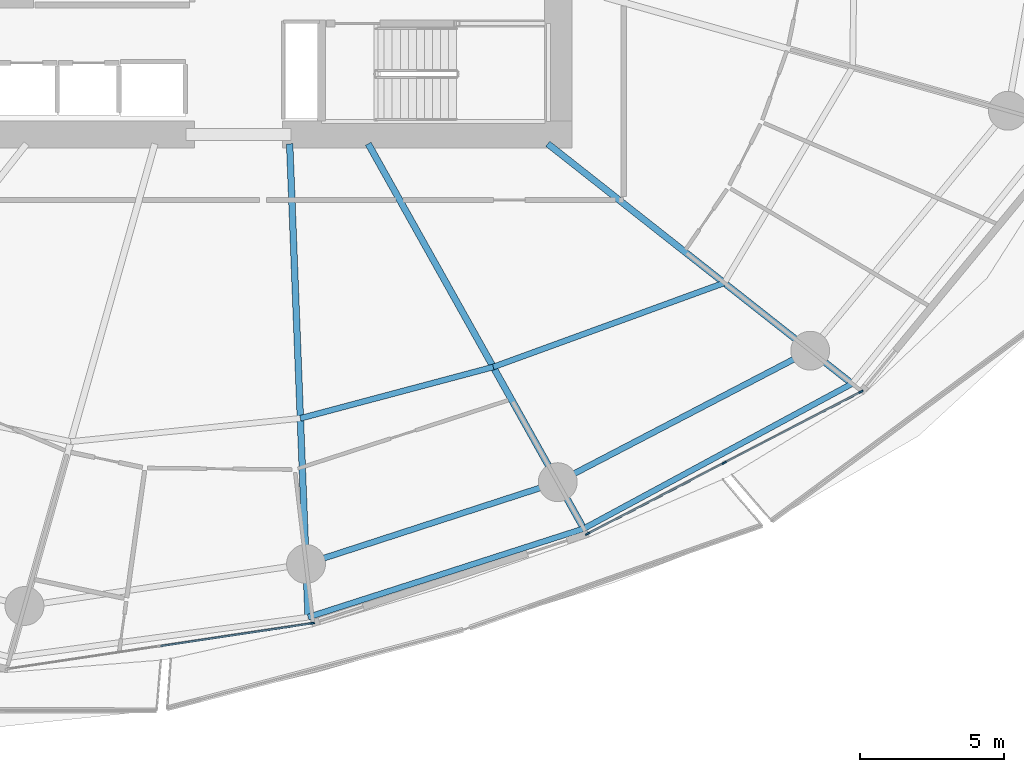
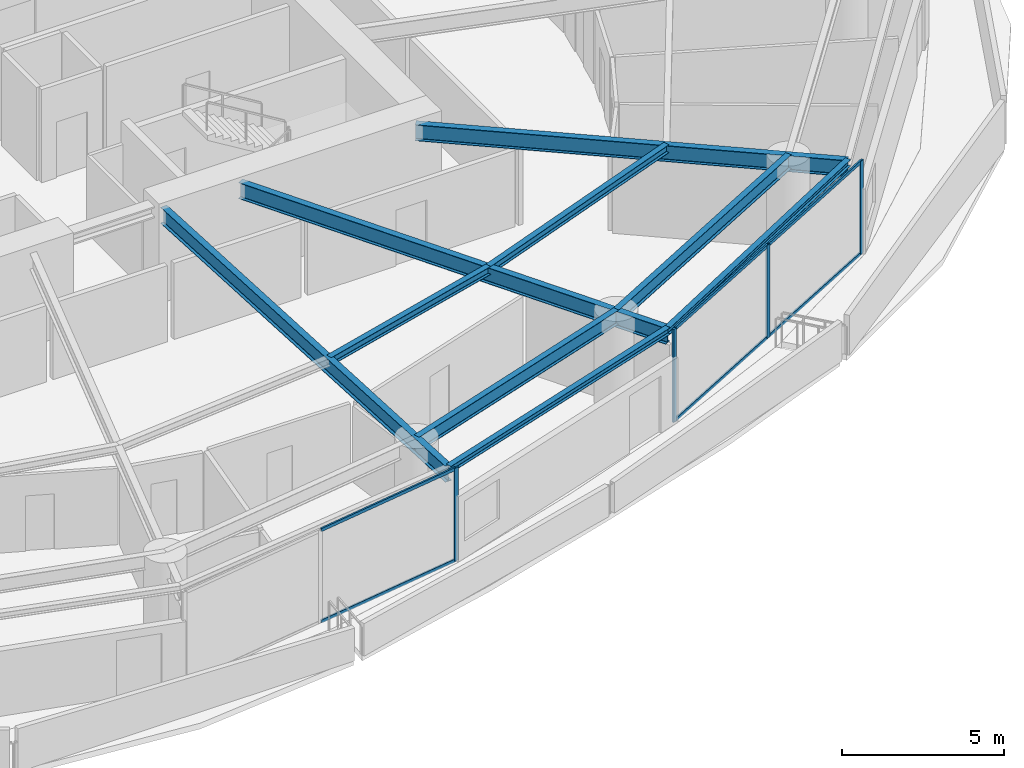
# One storey, part 9 of 31: 10 members, 9 beams, 2 elements without a shape of their own.
"""IFC4 building model written with IfcOpenShell, lengths in metres."""

from ifc_helpers import new_model, si_unit, direction, frame, origin, origin_2d, place, context, subcontext, project, spatial, rectangle, i_section, extrude, material, layer, layer_set, material_profile, profile_set, type_object, element, aggregate, save


model = new_model("IFC4")

# Units and contexts
model_context = context("Model", 3, precision=1e-05, world=origin(), true_north=direction((0.0, 1.0)))
body_context = subcontext(model_context, "Body", "Model", "MODEL_VIEW")
ifc_project = project(units=[si_unit("LENGTHUNIT", "METRE"), si_unit("AREAUNIT", "SQUARE_METRE"), si_unit("VOLUMEUNIT", "CUBIC_METRE"), si_unit("PLANEANGLEUNIT", "RADIAN"), si_unit("MASSUNIT", "GRAM", prefix="KILO")], contexts=[model_context])

# Site, building, storey
site_placement = place(None, origin())
site = spatial("IfcSite", under=ifc_project, at=site_placement, CompositionType="ELEMENT")
building_placement = place(site_placement, origin())
building = spatial("IfcBuilding", under=site, at=building_placement, Name="Kazma Halo Residences", CompositionType="ELEMENT")
storey_placement = place(building_placement, frame((0.0, 0.0, 30.14990234375)))
storey = spatial("IfcBuildingStorey", under=building, at=storey_placement, Name="L06", CompositionType="ELEMENT", Elevation=30.14990234375)

# Beams
ifc_material_1 = material(Name="Steel S355", Category="steel")
ifc_material_profile_1 = material_profile(ifc_material_1, i_section(OverallWidth=0.201904296875, OverallDepth=0.2470703125, WebThickness=0.00732421875, FlangeThickness=0.010986328125, FilletRadius=0.011962890625, at=origin_2d()), Name="W250x49.1")
ifc_profile_set_1 = profile_set([ifc_material_profile_1], Name="Steel S355")
beam_type_1 = type_object("IfcBeamType", Name="BM-BAL-CANT", PredefinedType="BEAM", material=ifc_profile_set_1)
beam_1_placement = place(storey_placement, frame((50.84033203125, 16.761962890625, 3.376708984375), z_axis=(0.952101049535, 0.305783569662, 0.0), x_axis=(-0.305783569662, 0.952101049535, 0.0)))
element("IfcBeam", 1, at=beam_1_placement, inside=storey, type_object=beam_type_1, Name="L06 wave-balcony tie beam 12", PredefinedType="BEAM", context=body_context, shape_type="SweptSolid", body=[
    extrude(i_section(OverallWidth=0.201904296875, OverallDepth=0.2470703125, WebThickness=0.00732421875, FlangeThickness=0.010986328125, FilletRadius=0.011962890625, at=origin_2d()), origin(), (0.0, 0.0, 1.0), 10.053466796875),
])
beam_2_placement = place(storey_placement, frame((60.412353515625, 19.836181640625, 3.376708984375), z_axis=(0.879759421466, 0.47541914175, 0.0), x_axis=(-0.47541914175, 0.879759421466, 0.0)))
element("IfcBeam", 2, at=beam_2_placement, inside=storey, type_object=beam_type_1, Name="L06 wave-balcony tie beam 13", PredefinedType="BEAM", context=body_context, shape_type="SweptSolid", body=[
    extrude(i_section(OverallWidth=0.201904296875, OverallDepth=0.2470703125, WebThickness=0.00732421875, FlangeThickness=0.010986328125, FilletRadius=0.011962890625, at=origin_2d()), origin(), (0.0, 0.0, 1.0), 10.58935546875),
])
ifc_material_profile_2 = material_profile(ifc_material_1, i_section(OverallWidth=0.22802734375, OverallDepth=0.60791015625, WebThickness=0.01123046875, FlangeThickness=0.017333984375, FilletRadius=0.01806640625, at=origin_2d()), Name="W610x113")
ifc_profile_set_2 = profile_set([ifc_material_profile_2], Name="Steel S355")
beam_type_2 = type_object("IfcBeamType", Name="BM-RAD-W610", PredefinedType="BEAM", material=ifc_profile_set_2)
beam_3_placement = place(storey_placement, frame((50.199951171875, 33.199951171875, 3.196044921875), z_axis=(0.038927845379, -0.999242024163, 0.0), x_axis=(0.999242024163, 0.038927845379, 0.0)))
element("IfcBeam", 3, at=beam_3_placement, inside=storey, type_object=beam_type_2, Name="L06 radial floor beam 12", PredefinedType="BEAM", context=body_context, shape_type="SweptSolid", body=[
    extrude(i_section(OverallWidth=0.22802734375, OverallDepth=0.60791015625, WebThickness=0.01123046875, FlangeThickness=0.017333984375, FilletRadius=0.01806640625, at=origin_2d()), origin(), (0.0, 0.0, 1.0), 16.450439453125),
])
beam_4_placement = place(storey_placement, frame((52.92822265625, 33.199951171875, 3.196044921875), z_axis=(0.488624239587, -0.872494328055, 0.0), x_axis=(0.872494328055, 0.488624239587, 0.0)))
element("IfcBeam", 4, at=beam_4_placement, inside=storey, type_object=beam_type_2, Name="L06 radial floor beam 13", PredefinedType="BEAM", context=body_context, shape_type="SweptSolid", body=[
    extrude(i_section(OverallWidth=0.22802734375, OverallDepth=0.60791015625, WebThickness=0.01123046875, FlangeThickness=0.017333984375, FilletRadius=0.01806640625, at=origin_2d()), origin(), (0.0, 0.0, 1.0), 15.316650390625),
])
beam_5_placement = place(storey_placement, frame((59.16259765625, 33.199951171875, 3.196044921875), z_axis=(0.785322437877, -0.619086963655, 0.0), x_axis=(0.619086963655, 0.785322437877, 0.0)))
element("IfcBeam", 5, at=beam_5_placement, inside=storey, type_object=beam_type_2, Name="L06 radial floor beam 14", PredefinedType="BEAM", context=body_context, shape_type="SweptSolid", body=[
    extrude(i_section(OverallWidth=0.22802734375, OverallDepth=0.60791015625, WebThickness=0.01123046875, FlangeThickness=0.017333984375, FilletRadius=0.01806640625, at=origin_2d()), origin(), (0.0, 0.0, 1.0), 13.454345703125),
])
ifc_material_profile_3 = material_profile(ifc_material_1, i_section(OverallWidth=0.202880859375, OverallDepth=0.302978515625, WebThickness=0.007568359375, FlangeThickness=0.01318359375, FilletRadius=0.013916015625, at=origin_2d()), Name="W310x60")
ifc_profile_set_3 = profile_set([ifc_material_profile_3], Name="Steel S355")
beam_type_3 = type_object("IfcBeamType", Name="BM-SEC-W310A", PredefinedType="JOIST", material=ifc_profile_set_3)
beam_6_placement = place(storey_placement, frame((50.5712890625, 23.666015625, 3.3486328125), z_axis=(0.966337757832, 0.257276772735, 0.0), x_axis=(-0.257276772735, 0.966337757832, 0.0)))
element("IfcBeam", 6, at=beam_6_placement, inside=storey, type_object=beam_type_3, Name="L06 circumferential floor joist 12", PredefinedType="JOIST", context=body_context, shape_type="SweptSolid", body=[
    extrude(i_section(OverallWidth=0.202880859375, OverallDepth=0.302978515625, WebThickness=0.007568359375, FlangeThickness=0.01318359375, FilletRadius=0.013916015625, at=origin_2d()), origin(), (0.0, 0.0, 1.0), 6.93115234375),
])
beam_7_placement = place(storey_placement, frame((57.26904296875, 25.44921875, 3.3486328125), z_axis=(0.939695690299, 0.34201170979, 0.0), x_axis=(-0.34201170979, 0.939695690299, 0.0)))
element("IfcBeam", 7, at=beam_7_placement, inside=storey, type_object=beam_type_3, Name="L06 circumferential floor joist 13", PredefinedType="JOIST", context=body_context, shape_type="SweptSolid", body=[
    extrude(i_section(OverallWidth=0.202880859375, OverallDepth=0.302978515625, WebThickness=0.007568359375, FlangeThickness=0.01318359375, FilletRadius=0.013916015625, at=origin_2d()), origin(), (0.0, 0.0, 1.0), 8.536865234375),
])
ifc_material_profile_4 = material_profile(ifc_material_1, i_section(OverallWidth=0.208984375, OverallDepth=0.532958984375, WebThickness=0.01025390625, FlangeThickness=0.015625, FilletRadius=0.01611328125, at=origin_2d()), Name="W530x92")
ifc_profile_set_4 = profile_set([ifc_material_profile_4], Name="Steel S355")
beam_type_4 = type_object("IfcBeamType", Name="BM-SPN-W530", PredefinedType="BEAM", material=ifc_profile_set_4)
beam_8_placement = place(storey_placement, frame((50.768310546875, 18.610595703125, 3.233642578125), z_axis=(0.951054956346, 0.309021795363, 0.0), x_axis=(-0.309021795363, 0.951054956346, 0.0)))
element("IfcBeam", 8, at=beam_8_placement, inside=storey, type_object=beam_type_4, Name="L06 perimeter ring beam 12", PredefinedType="BEAM", context=body_context, shape_type="SweptSolid", body=[
    extrude(i_section(OverallWidth=0.208984375, OverallDepth=0.532958984375, WebThickness=0.01025390625, FlangeThickness=0.015625, FilletRadius=0.01611328125, at=origin_2d()), origin(), (0.0, 0.0, 1.0), 9.189697265625),
])
beam_9_placement = place(storey_placement, frame((59.50830078125, 21.450439453125, 3.233642578125), z_axis=(0.886956241699, 0.461853467358, 0.0), x_axis=(-0.461853467358, 0.886956241699, 0.0)))
element("IfcBeam", 9, at=beam_9_placement, inside=storey, type_object=beam_type_4, Name="L06 perimeter ring beam 13", PredefinedType="BEAM", context=body_context, shape_type="SweptSolid", body=[
    extrude(i_section(OverallWidth=0.208984375, OverallDepth=0.532958984375, WebThickness=0.01025390625, FlangeThickness=0.015625, FilletRadius=0.01611328125, at=origin_2d()), origin(), (0.0, 0.0, 1.0), 9.885009765625),
])

# Curtain wall, member
ifc_material_2 = material(Name="Aluminium AW-6063 T6 and Triple-Silver Low-E Glass", Category="aluminium")
ifc_layer = layer(ifc_material_2, 0.159912109375)
ifc_layer_set = layer_set([ifc_layer], Name="Aluminium AW-6063 T6 and Triple-Silver Low-E Glass")
curtain_wall_type = type_object("IfcCurtainWallType", Name="CW-SYS-2", PredefinedType="NOTDEFINED", material=ifc_layer_set)
curtain_wall_1_placement = place(storey_placement, origin())
curtain_wall_1 = element("IfcCurtainWall", 10, at=curtain_wall_1_placement, inside=storey, type_object=curtain_wall_type, Name="L06 unitised curtain wall B11", PredefinedType="NOTDEFINED")
ifc_material_3 = material(Name="Aluminium AW-6063 T6", Category="aluminium")
ifc_material_profile_5 = material_profile(ifc_material_3, rectangle(XDim=0.06005859375, YDim=0.159912109375, at=origin_2d()), Name="CWM-60x160")
ifc_profile_set_5 = profile_set([ifc_material_profile_5], Name="Aluminium AW-6063 T6")
member_type_1 = type_object("IfcMemberType", Name="CW-SYS-2-MUL", PredefinedType="MULLION", material=ifc_profile_set_5)
member_1_placement = place(storey_placement, frame((50.981689453125, 16.552490234375, 0.0), z_axis=(0.0, 0.0, 1.0), x_axis=(-0.148657272805, 0.988888777994, 0.0)))
member_1 = element("IfcMember", 11, at=member_1_placement, type_object=member_type_1, Name="CWS-2 mullion 3", PredefinedType="MULLION", context=body_context, shape_type="SweptSolid", body=[
    extrude(rectangle(XDim=0.06005859375, YDim=0.159912109375, at=origin_2d()), origin(), (0.0, 0.0, 1.0), 3.5),
])

# Curtain wall, members
curtain_wall_2_placement = place(storey_placement, origin())
curtain_wall_2 = element("IfcCurtainWall", 12, at=curtain_wall_2_placement, inside=storey, type_object=curtain_wall_type, Name="L06 unitised curtain wall B13", PredefinedType="NOTDEFINED")
member_2_placement = place(storey_placement, frame((60.54541015625, 19.659912109375, 0.0), z_axis=(0.0, 0.0, 1.0), x_axis=(-0.460995912628, 0.887402258584, 0.0)))
member_2 = element("IfcMember", 13, at=member_2_placement, type_object=member_type_1, Name="CWS-2 mullion 1", PredefinedType="MULLION", context=body_context, shape_type="SweptSolid", body=[
    extrude(rectangle(XDim=0.06005859375, YDim=0.159912109375, at=origin_2d()), origin(), (0.0, 0.0, 1.0), 3.5),
])
member_3_placement = place(storey_placement, frame((65.2919921875, 22.125732421875, 0.0), z_axis=(0.0, 0.0, 1.0), x_axis=(-0.460995912628, 0.887402258584, 0.0)))
member_3 = element("IfcMember", 14, at=member_3_placement, type_object=member_type_1, Name="CWS-2 mullion 2", PredefinedType="MULLION", context=body_context, shape_type="SweptSolid", body=[
    extrude(rectangle(XDim=0.06005859375, YDim=0.159912109375, at=origin_2d()), origin(), (0.0, 0.0, 1.0), 3.5),
])
member_4_placement = place(storey_placement, frame((70.03857421875, 24.591552734375, 0.0), z_axis=(0.0, 0.0, 1.0), x_axis=(-0.460995912628, 0.887402258584, 0.0)))
member_4 = element("IfcMember", 15, at=member_4_placement, type_object=member_type_1, Name="CWS-2 mullion 3", PredefinedType="MULLION", context=body_context, shape_type="SweptSolid", body=[
    extrude(rectangle(XDim=0.06005859375, YDim=0.159912109375, at=origin_2d()), origin(), (0.0, 0.0, 1.0), 3.5),
])

# Member
ifc_material_profile_6 = material_profile(ifc_material_3, rectangle(XDim=0.06005859375, YDim=0.1201171875, at=origin_2d()), Name="CWT-60x120")
ifc_profile_set_6 = profile_set([ifc_material_profile_6], Name="Aluminium AW-6063 T6")
member_type_2 = type_object("IfcMemberType", Name="CW-SYS-2-TRN", PredefinedType="USERDEFINED", material=ifc_profile_set_6)
member_5_placement = place(storey_placement, frame((45.721923828125, 15.761962890625, 0.030029296875), z_axis=(0.98889195415, 0.148636143041, 0.0), x_axis=(-0.148636143041, 0.98889195415, 0.0)))
member_5 = element("IfcMember", 16, at=member_5_placement, type_object=member_type_2, Name="CWS-2 transom 2.1", ObjectType="TRANSOM", PredefinedType="USERDEFINED", context=body_context, shape_type="SweptSolid", body=[
    extrude(rectangle(XDim=0.06005859375, YDim=0.1201171875, at=origin_2d()), origin(), (0.0, 0.0, 1.0), 5.2890625),
])

member_6_placement = place(storey_placement, frame((45.721923828125, 15.761962890625, 3.47021484375), z_axis=(0.98889195415, 0.148636143041, 0.0), x_axis=(-0.148636143041, 0.98889195415, 0.0)))
member_6 = element("IfcMember", 17, at=member_6_placement, type_object=member_type_2, Name="CWS-2 transom 2.2", ObjectType="TRANSOM", PredefinedType="USERDEFINED", context=body_context, shape_type="SweptSolid", body=[
    extrude(rectangle(XDim=0.06005859375, YDim=0.1201171875, at=origin_2d()), origin(), (0.0, 0.0, 1.0), 5.2890625),
])

aggregate(curtain_wall_1, [member_1, member_5, member_6])

member_7_placement = place(storey_placement, frame((60.572021484375, 19.673828125, 0.030029296875), z_axis=(0.887414738583, 0.460971888238, 0.0), x_axis=(-0.460971888238, 0.887414738583, 0.0)))
member_7 = element("IfcMember", 18, at=member_7_placement, type_object=member_type_2, Name="CWS-2 transom 1.1", ObjectType="TRANSOM", PredefinedType="USERDEFINED", context=body_context, shape_type="SweptSolid", body=[
    extrude(rectangle(XDim=0.06005859375, YDim=0.1201171875, at=origin_2d()), origin(), (0.0, 0.0, 1.0), 5.288818359375),
])

member_8_placement = place(storey_placement, frame((60.572021484375, 19.673828125, 3.47021484375), z_axis=(0.887414738583, 0.460971888238, 0.0), x_axis=(-0.460971888238, 0.887414738583, 0.0)))
member_8 = element("IfcMember", 19, at=member_8_placement, type_object=member_type_2, Name="CWS-2 transom 1.2", ObjectType="TRANSOM", PredefinedType="USERDEFINED", context=body_context, shape_type="SweptSolid", body=[
    extrude(rectangle(XDim=0.06005859375, YDim=0.1201171875, at=origin_2d()), origin(), (0.0, 0.0, 1.0), 5.288818359375),
])

member_9_placement = place(storey_placement, frame((65.318603515625, 22.1396484375, 0.030029296875), z_axis=(0.887414738583, 0.460971888238, 0.0), x_axis=(-0.460971888238, 0.887414738583, 0.0)))
member_9 = element("IfcMember", 20, at=member_9_placement, type_object=member_type_2, Name="CWS-2 transom 2.1", ObjectType="TRANSOM", PredefinedType="USERDEFINED", context=body_context, shape_type="SweptSolid", body=[
    extrude(rectangle(XDim=0.06005859375, YDim=0.1201171875, at=origin_2d()), origin(), (0.0, 0.0, 1.0), 5.288818359375),
])

member_10_placement = place(storey_placement, frame((65.318603515625, 22.1396484375, 3.47021484375), z_axis=(0.887414738583, 0.460971888238, 0.0), x_axis=(-0.460971888238, 0.887414738583, 0.0)))
member_10 = element("IfcMember", 21, at=member_10_placement, type_object=member_type_2, Name="CWS-2 transom 2.2", ObjectType="TRANSOM", PredefinedType="USERDEFINED", context=body_context, shape_type="SweptSolid", body=[
    extrude(rectangle(XDim=0.06005859375, YDim=0.1201171875, at=origin_2d()), origin(), (0.0, 0.0, 1.0), 5.288818359375),
])

aggregate(curtain_wall_2, [member_2, member_3, member_4, member_7, member_8, member_9, member_10])

save(model, "model.ifc")
